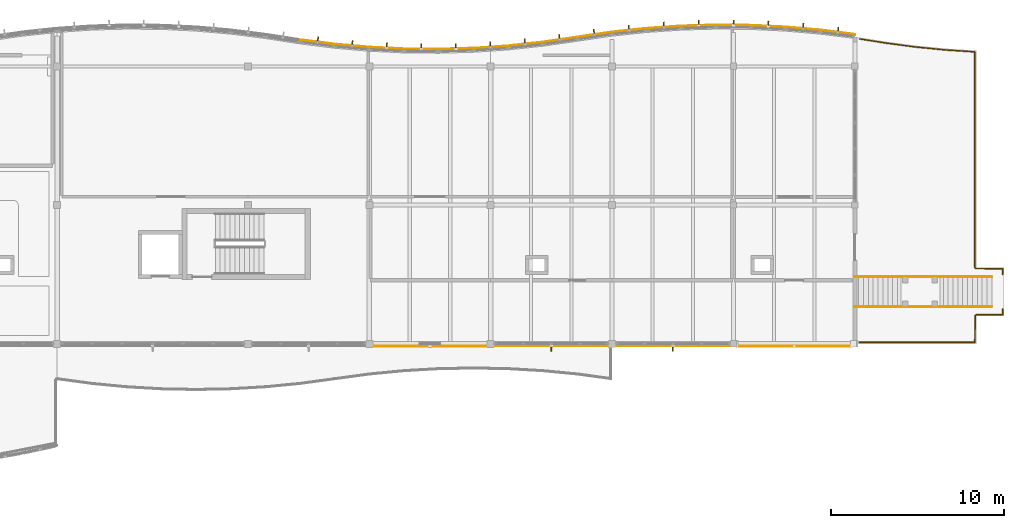
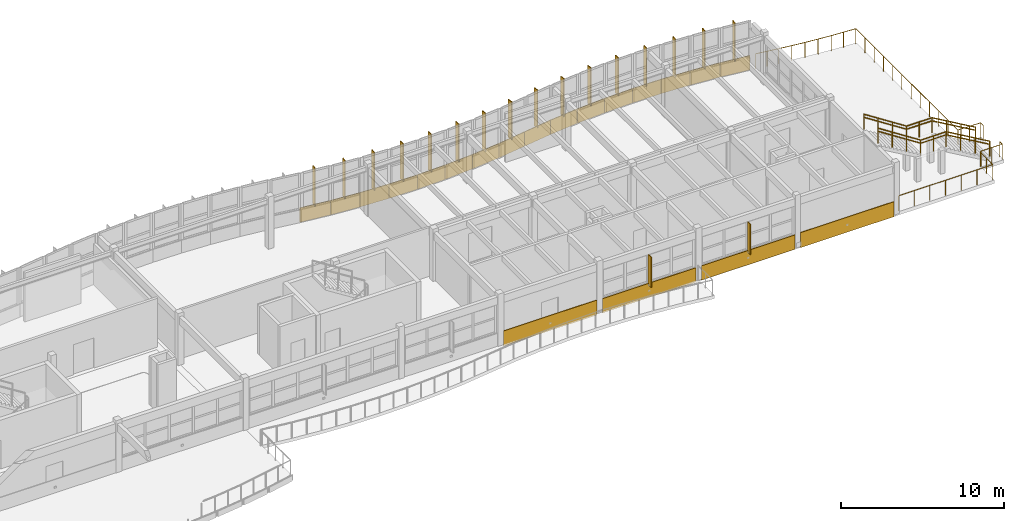
# One storey, part 52 of 52: 20 coverings, 18 shading devices, 6 railings.
"""IFC4 building model written with IfcOpenShell, lengths in metres."""

from ifc_helpers import new_model, si_unit, direction, frame, origin, origin_2d, place, context, subcontext, project, spatial, polyline, rectangle, circle, outline, extrude, material, layer, layer_set, type_object, element, save


model = new_model("IFC4")

# Units and contexts
model_context = context("Model", 3, precision=1e-05, world=origin(), true_north=direction((0.0, 1.0)))
body_context = subcontext(model_context, "Body", "Model", "MODEL_VIEW")
ifc_project = project(units=[si_unit("LENGTHUNIT", "METRE"), si_unit("AREAUNIT", "SQUARE_METRE"), si_unit("VOLUMEUNIT", "CUBIC_METRE"), si_unit("PLANEANGLEUNIT", "RADIAN"), si_unit("MASSUNIT", "GRAM", prefix="KILO")], contexts=[model_context])

# Site, building, storey
site_placement = place(None, origin())
site = spatial("IfcSite", under=ifc_project, at=site_placement, CompositionType="ELEMENT")
building_placement = place(site_placement, origin())
building = spatial("IfcBuilding", under=site, at=building_placement, Name="Tonlespit Floodbar School", CompositionType="ELEMENT")
storey_placement = place(building_placement, frame((0.0, 0.0, 12.300048828125)))
storey = spatial("IfcBuildingStorey", under=building, at=storey_placement, Name="L03", CompositionType="ELEMENT", Elevation=12.300048828125)

# Railings
ifc_material_1 = material(Name="Galvanised Steel", Category="steel")
railing_type_1 = type_object("IfcRailingType", Name="Balustrade_Ext_1150", PredefinedType="BALUSTRADE", material=ifc_material_1)
railing_1_placement = place(storey_placement, frame((162.280029296875, 121.580810546875, 0.0)))
element("IfcRailing", 1, at=railing_1_placement, inside=storey, type_object=railing_type_1, Name="L03 terrace balustrade 021", PredefinedType="BALUSTRADE", context=body_context, shape_type="SweptSolid", body=[
    extrude(circle(Radius=0.02392578125, at=origin_2d()), frame((0.0, 0.0, 1.1259765625), z_axis=(0.987927474523, -0.154917090996, 0.0), x_axis=(0.154917090996, 0.987927474523, 0.0)), (0.0, 0.0, 1.0), 1.47509765625),
    extrude(circle(Radius=0.02392578125, at=origin_2d()), frame((1.457275390625, -0.228515625, 1.1259765625), z_axis=(0.991221866926, -0.132208965386, 0.0), x_axis=(0.132208965386, 0.991221866926, 0.0)), (0.0, 0.0, 1.0), 1.767333984375),
    extrude(circle(Radius=0.02392578125, at=origin_2d()), frame((3.208984375, -0.462158203125, 1.1259765625), z_axis=(0.995131438323, -0.098556686537, 0.0), x_axis=(0.098556686537, 0.995131438323, 0.0)), (0.0, 0.0, 1.0), 1.76123046875),
    extrude(circle(Radius=0.02392578125, at=origin_2d()), frame((4.961669921875, -0.6357421875, 1.1259765625), z_axis=(0.997881745666, -0.065053990404, 0.0), x_axis=(0.065053990404, 0.997881745666, 0.0)), (0.0, 0.0, 1.0), 1.681396484375),
    extrude(circle(Radius=0.02392578125, at=origin_2d()), frame((6.639404296875, -0.7451171875, 1.1259765625), z_axis=(3.93275e-05, -0.999999999227, 0.0), x_axis=(0.999999999227, 3.93275e-05, 0.0)), (0.0, 0.0, 1.0), 12.415771484375),
    extrude(circle(Radius=0.02392578125, at=origin_2d()), frame((6.639892578125, -13.160888671875, 1.1259765625), z_axis=(0.402738614266, -0.915315032423, 0.0), x_axis=(0.915315032423, 0.402738614266, 0.0)), (0.0, 0.0, 1.0), 0.080078125),
    extrude(circle(Radius=0.02392578125, at=origin_2d()), frame((6.672119140625, -13.234130859375, 1.1259765625), z_axis=(0.999855901631, -0.016975746616, 0.0), x_axis=(0.016975746616, 0.999855901631, 0.0)), (0.0, 0.0, 1.0), 1.567626953125),
    extrude(circle(Radius=0.02392578125, at=origin_2d()), frame((8.239501953125, -13.2607421875, 1.1259765625), z_axis=(0.0, -1.0, 0.0), x_axis=(1.0, 0.0, 0.0)), (0.0, 0.0, 1.0), 0.320068359375),
    extrude(circle(Radius=0.02099609375, at=origin_2d()), origin(), (0.0, 0.0, 1.0), 1.101806640625),
    extrude(circle(Radius=0.02099609375, at=origin_2d()), frame((0.728515625, -0.1142578125, 0.0)), (0.0, 0.0, 1.0), 1.101806640625),
    extrude(circle(Radius=0.02099609375, at=origin_2d()), frame((1.457275390625, -0.228515625, 0.0)), (0.0, 0.0, 1.0), 1.101806640625),
    extrude(circle(Radius=0.02099609375, at=origin_2d()), frame((2.3330078125, -0.34521484375, 0.0)), (0.0, 0.0, 1.0), 1.101806640625),
    extrude(circle(Radius=0.02099609375, at=origin_2d()), frame((3.208984375, -0.462158203125, 0.0)), (0.0, 0.0, 1.0), 1.101806640625),
    extrude(circle(Radius=0.02099609375, at=origin_2d()), frame((4.08544921875, -0.548828125, 0.0)), (0.0, 0.0, 1.0), 1.101806640625),
    extrude(circle(Radius=0.02099609375, at=origin_2d()), frame((4.961669921875, -0.6357421875, 0.0)), (0.0, 0.0, 1.0), 1.101806640625),
    extrude(circle(Radius=0.02099609375, at=origin_2d()), frame((5.800537109375, -0.6904296875, 0.0)), (0.0, 0.0, 1.0), 1.101806640625),
    extrude(circle(Radius=0.02099609375, at=origin_2d()), frame((6.639404296875, -0.7451171875, 0.0)), (0.0, 0.0, 1.0), 1.101806640625),
    extrude(circle(Radius=0.02099609375, at=origin_2d()), frame((6.639404296875, -1.873779296875, 0.0)), (0.0, 0.0, 1.0), 1.101806640625),
    extrude(circle(Radius=0.02099609375, at=origin_2d()), frame((6.639404296875, -3.00244140625, 0.0)), (0.0, 0.0, 1.0), 1.101806640625),
    extrude(circle(Radius=0.02099609375, at=origin_2d()), frame((6.6396484375, -4.13134765625, 0.0)), (0.0, 0.0, 1.0), 1.101806640625),
    extrude(circle(Radius=0.02099609375, at=origin_2d()), frame((6.6396484375, -5.260009765625, 0.0)), (0.0, 0.0, 1.0), 1.101806640625),
    extrude(circle(Radius=0.02099609375, at=origin_2d()), frame((6.6396484375, -6.388671875, 0.0)), (0.0, 0.0, 1.0), 1.101806640625),
    extrude(circle(Radius=0.02099609375, at=origin_2d()), frame((6.6396484375, -7.517333984375, 0.0)), (0.0, 0.0, 1.0), 1.101806640625),
    extrude(circle(Radius=0.02099609375, at=origin_2d()), frame((6.6396484375, -8.64599609375, 0.0)), (0.0, 0.0, 1.0), 1.101806640625),
    extrude(circle(Radius=0.02099609375, at=origin_2d()), frame((6.6396484375, -9.774658203125, 0.0)), (0.0, 0.0, 1.0), 1.101806640625),
    extrude(circle(Radius=0.02099609375, at=origin_2d()), frame((6.639892578125, -10.903564453125, 0.0)), (0.0, 0.0, 1.0), 1.101806640625),
    extrude(circle(Radius=0.02099609375, at=origin_2d()), frame((6.639892578125, -12.0322265625, 0.0)), (0.0, 0.0, 1.0), 1.101806640625),
    extrude(circle(Radius=0.02099609375, at=origin_2d()), frame((6.639892578125, -13.160888671875, 0.0)), (0.0, 0.0, 1.0), 1.101806640625),
    extrude(circle(Radius=0.02099609375, at=origin_2d()), frame((6.672119140625, -13.234130859375, 0.0)), (0.0, 0.0, 1.0), 1.101806640625),
    extrude(circle(Radius=0.02099609375, at=origin_2d()), frame((7.455810546875, -13.24755859375, 0.0)), (0.0, 0.0, 1.0), 1.101806640625),
    extrude(circle(Radius=0.02099609375, at=origin_2d()), frame((8.239501953125, -13.2607421875, 0.0)), (0.0, 0.0, 1.0), 1.101806640625),
    extrude(circle(Radius=0.02099609375, at=origin_2d()), frame((8.239501953125, -13.580810546875, 0.0)), (0.0, 0.0, 1.0), 1.101806640625),
])
railing_2_placement = place(storey_placement, frame((169.89990234375, 107.860107421875, 0.162353515625)))
element("IfcRailing", 2, at=railing_2_placement, inside=storey, type_object=railing_type_1, Name="ST-L2 side guard 1", PredefinedType="BALUSTRADE", context=body_context, shape_type="SweptSolid", body=[
    extrude(circle(Radius=0.02392578125, at=origin_2d()), frame((0.0, 0.0, 1.1259765625), z_axis=(-0.864873446163, 0.0, 0.501989962173), x_axis=(0.0, -1.0, 0.0)), (0.0, 0.0, 1.0), 3.56103515625),
    extrude(circle(Radius=0.02392578125, at=origin_2d()), frame((-3.079833984375, 0.0, 2.91357421875), z_axis=(-1.0, 0.0, 0.0), x_axis=(0.0, -1.0, 0.0)), (0.0, 0.0, 1.0), 1.800048828125),
    extrude(circle(Radius=0.02392578125, at=origin_2d()), frame((-4.8798828125, 0.0, 2.91357421875), z_axis=(-0.840099985786, 0.0, 0.542431575301), x_axis=(0.0, -1.0, 0.0)), (0.0, 0.0, 1.0), 3.5947265625),
    extrude(circle(Radius=0.02099609375, at=origin_2d()), origin(), (0.0, 0.0, 1.0), 1.101806640625),
    extrude(circle(Radius=0.02099609375, at=origin_2d()), frame((-1.026611328125, 0.0, 0.595947265625)), (0.0, 0.0, 1.0), 1.101806640625),
    extrude(circle(Radius=0.02099609375, at=origin_2d()), frame((-2.05322265625, 0.0, 1.191650390625)), (0.0, 0.0, 1.0), 1.101806640625),
    extrude(circle(Radius=0.02099609375, at=origin_2d()), frame((-3.079833984375, 0.0, 1.78759765625)), (0.0, 0.0, 1.0), 1.101806640625),
    extrude(circle(Radius=0.02099609375, at=origin_2d()), frame((-3.97998046875, 0.0, 1.78759765625)), (0.0, 0.0, 1.0), 1.101806640625),
    extrude(circle(Radius=0.02099609375, at=origin_2d()), frame((-4.8798828125, 0.0, 1.78759765625)), (0.0, 0.0, 1.0), 1.101806640625),
    extrude(circle(Radius=0.02099609375, at=origin_2d()), frame((-5.886474609375, 0.0, 2.4375)), (0.0, 0.0, 1.0), 1.101806640625),
    extrude(circle(Radius=0.02099609375, at=origin_2d()), frame((-6.893310546875, 0.0, 3.087646484375)), (0.0, 0.0, 1.0), 1.101806640625),
    extrude(circle(Radius=0.02099609375, at=origin_2d()), frame((-7.89990234375, 0.0, 3.737548828125)), (0.0, 0.0, 1.0), 1.101806640625),
])
railing_3_placement = place(storey_placement, frame((169.89990234375, 106.139892578125, 0.162353515625)))
element("IfcRailing", 3, at=railing_3_placement, inside=storey, type_object=railing_type_1, Name="ST-L2 side guard 2", PredefinedType="BALUSTRADE", context=body_context, shape_type="SweptSolid", body=[
    extrude(circle(Radius=0.02392578125, at=origin_2d()), frame((0.0, 0.0, 1.1259765625), z_axis=(-0.864873446163, 0.0, 0.501989962173), x_axis=(0.0, -1.0, 0.0)), (0.0, 0.0, 1.0), 3.56103515625),
    extrude(circle(Radius=0.02392578125, at=origin_2d()), frame((-3.079833984375, 0.0, 2.91357421875), z_axis=(-1.0, 0.0, 0.0), x_axis=(0.0, -1.0, 0.0)), (0.0, 0.0, 1.0), 1.800048828125),
    extrude(circle(Radius=0.02392578125, at=origin_2d()), frame((-4.8798828125, 0.0, 2.91357421875), z_axis=(-0.840099985786, 0.0, 0.542431575301), x_axis=(0.0, -1.0, 0.0)), (0.0, 0.0, 1.0), 3.5947265625),
    extrude(circle(Radius=0.02099609375, at=origin_2d()), origin(), (0.0, 0.0, 1.0), 1.101806640625),
    extrude(circle(Radius=0.02099609375, at=origin_2d()), frame((-1.026611328125, 0.0, 0.595947265625)), (0.0, 0.0, 1.0), 1.101806640625),
    extrude(circle(Radius=0.02099609375, at=origin_2d()), frame((-2.05322265625, 0.0, 1.191650390625)), (0.0, 0.0, 1.0), 1.101806640625),
    extrude(circle(Radius=0.02099609375, at=origin_2d()), frame((-3.079833984375, 0.0, 1.78759765625)), (0.0, 0.0, 1.0), 1.101806640625),
    extrude(circle(Radius=0.02099609375, at=origin_2d()), frame((-3.97998046875, 0.0, 1.78759765625)), (0.0, 0.0, 1.0), 1.101806640625),
    extrude(circle(Radius=0.02099609375, at=origin_2d()), frame((-4.8798828125, 0.0, 1.78759765625)), (0.0, 0.0, 1.0), 1.101806640625),
    extrude(circle(Radius=0.02099609375, at=origin_2d()), frame((-5.886474609375, 0.0, 2.4375)), (0.0, 0.0, 1.0), 1.101806640625),
    extrude(circle(Radius=0.02099609375, at=origin_2d()), frame((-6.893310546875, 0.0, 3.087646484375)), (0.0, 0.0, 1.0), 1.101806640625),
    extrude(circle(Radius=0.02099609375, at=origin_2d()), frame((-7.89990234375, 0.0, 3.737548828125)), (0.0, 0.0, 1.0), 1.101806640625),
])

# Coverings
ifc_material_2 = material(Name="White Architectural Aluminium", Category="aluminium")
ifc_layer_1 = layer(ifc_material_2, 0.050048828125)
ifc_layer_set_1 = layer_set([ifc_layer_1], Name="White Architectural Aluminium")
covering_type = type_object("IfcCoveringType", Name="Cladding_WhiteBand_50", PredefinedType="CLADDING", material=ifc_layer_set_1)
covering_1_placement = place(storey_placement, frame((0.0, 0.0, -0.1201171875)))
element("IfcCovering", 4, at=covering_1_placement, inside=storey, type_object=covering_type, Name="L03 curved white spandrel cladding 0704", PredefinedType="CLADDING", context=body_context, shape_type="SweptSolid", body=[
    extrude(outline(polyline([(130.012451171875, 121.493408203125), (132.012451171875, 121.241455078125), (132.018798828125, 121.291015625), (130.018798828125, 121.543212890625), (130.012451171875, 121.493408203125)])), origin(), (0.0, 0.0, 1.0), 1.070068359375),
])
covering_2_placement = place(storey_placement, frame((0.0, 0.0, -0.1201171875)))
element("IfcCovering", 5, at=covering_2_placement, inside=storey, type_object=covering_type, Name="L03 curved white spandrel cladding 0705", PredefinedType="CLADDING", context=body_context, shape_type="SweptSolid", body=[
    extrude(outline(polyline([(132.0087890625, 121.241943359375), (134.0087890625, 121.068115234375), (134.012939453125, 121.117919921875), (132.012939453125, 121.291748046875), (132.0087890625, 121.241943359375)])), origin(), (0.0, 0.0, 1.0), 1.070068359375),
])
covering_3_placement = place(storey_placement, frame((0.0, 0.0, -0.1201171875)))
element("IfcCovering", 6, at=covering_3_placement, inside=storey, type_object=covering_type, Name="L03 curved white spandrel cladding 0706", PredefinedType="CLADDING", context=body_context, shape_type="SweptSolid", body=[
    extrude(outline(polyline([(134.0048828125, 121.068359375), (136.0048828125, 120.97216796875), (136.007080078125, 121.02197265625), (134.007080078125, 121.118408203125), (134.0048828125, 121.068359375)])), origin(), (0.0, 0.0, 1.0), 1.070068359375),
])
covering_4_placement = place(storey_placement, frame((0.0, 0.0, -0.1201171875)))
element("IfcCovering", 7, at=covering_4_placement, inside=storey, type_object=covering_type, Name="L03 curved white spandrel cladding 0707", PredefinedType="CLADDING", context=body_context, shape_type="SweptSolid", body=[
    extrude(outline(polyline([(136.0009765625, 120.97216796875), (138.0009765625, 120.952880859375), (138.00146484375, 121.0029296875), (136.00146484375, 121.022216796875), (136.0009765625, 120.97216796875)])), origin(), (0.0, 0.0, 1.0), 1.070068359375),
])
covering_5_placement = place(storey_placement, frame((0.0, 0.0, -0.1201171875)))
element("IfcCovering", 8, at=covering_5_placement, inside=storey, type_object=covering_type, Name="L03 curved white spandrel cladding 0708", PredefinedType="CLADDING", context=body_context, shape_type="SweptSolid", body=[
    extrude(outline(polyline([(137.9970703125, 120.952880859375), (139.9970703125, 121.0107421875), (139.99560546875, 121.060791015625), (137.99560546875, 121.0029296875), (137.9970703125, 120.952880859375)])), origin(), (0.0, 0.0, 1.0), 1.070068359375),
])
covering_6_placement = place(storey_placement, frame((0.0, 0.0, -0.1201171875)))
element("IfcCovering", 9, at=covering_6_placement, inside=storey, type_object=covering_type, Name="L03 curved white spandrel cladding 0709", PredefinedType="CLADDING", context=body_context, shape_type="SweptSolid", body=[
    extrude(outline(polyline([(139.993408203125, 121.010498046875), (141.993408203125, 121.1455078125), (141.989990234375, 121.1953125), (139.989990234375, 121.060302734375), (139.993408203125, 121.010498046875)])), origin(), (0.0, 0.0, 1.0), 1.070068359375),
])
covering_7_placement = place(storey_placement, frame((0.0, 0.0, -0.1201171875)))
element("IfcCovering", 10, at=covering_7_placement, inside=storey, type_object=covering_type, Name="L03 curved white spandrel cladding 0710", PredefinedType="CLADDING", context=body_context, shape_type="SweptSolid", body=[
    extrude(outline(polyline([(141.989501953125, 121.14501953125), (143.989501953125, 121.35791015625), (143.984130859375, 121.407470703125), (141.984130859375, 121.19482421875), (141.989501953125, 121.14501953125)])), origin(), (0.0, 0.0, 1.0), 1.070068359375),
])
covering_8_placement = place(storey_placement, frame((0.0, 0.0, -0.1201171875)))
element("IfcCovering", 11, at=covering_8_placement, inside=storey, type_object=covering_type, Name="L03 curved white spandrel cladding 0711", PredefinedType="CLADDING", context=body_context, shape_type="SweptSolid", body=[
    extrude(outline(polyline([(143.985595703125, 121.357421875), (145.985595703125, 121.64892578125), (145.978515625, 121.698486328125), (143.978515625, 121.406982421875), (143.985595703125, 121.357421875)])), origin(), (0.0, 0.0, 1.0), 1.070068359375),
])
covering_9_placement = place(storey_placement, frame((0.0, 0.0, -0.1201171875)))
element("IfcCovering", 12, at=covering_9_placement, inside=storey, type_object=covering_type, Name="L03 curved white spandrel cladding 0712", PredefinedType="CLADDING", context=body_context, shape_type="SweptSolid", body=[
    extrude(outline(polyline([(145.985595703125, 121.64892578125), (147.985595703125, 121.940673828125), (147.978515625, 121.989990234375), (145.978515625, 121.698486328125), (145.985595703125, 121.64892578125)])), origin(), (0.0, 0.0, 1.0), 1.070068359375),
])
covering_10_placement = place(storey_placement, frame((0.0, 0.0, -0.1201171875)))
element("IfcCovering", 13, at=covering_10_placement, inside=storey, type_object=covering_type, Name="L03 curved white spandrel cladding 0713", PredefinedType="CLADDING", context=body_context, shape_type="SweptSolid", body=[
    extrude(outline(polyline([(147.989501953125, 121.94091796875), (149.989501953125, 122.15380859375), (149.984130859375, 122.203369140625), (147.984130859375, 121.99072265625), (147.989501953125, 121.94091796875)])), origin(), (0.0, 0.0, 1.0), 1.070068359375),
])
covering_11_placement = place(storey_placement, frame((0.0, 0.0, -0.1201171875)))
element("IfcCovering", 14, at=covering_11_placement, inside=storey, type_object=covering_type, Name="L03 curved white spandrel cladding 0714", PredefinedType="CLADDING", context=body_context, shape_type="SweptSolid", body=[
    extrude(outline(polyline([(149.993408203125, 122.154052734375), (151.993408203125, 122.2890625), (151.989990234375, 122.339111328125), (149.989990234375, 122.2041015625), (149.993408203125, 122.154052734375)])), origin(), (0.0, 0.0, 1.0), 1.070068359375),
])
covering_12_placement = place(storey_placement, frame((0.0, 0.0, -0.1201171875)))
element("IfcCovering", 15, at=covering_12_placement, inside=storey, type_object=covering_type, Name="L03 curved white spandrel cladding 0715", PredefinedType="CLADDING", context=body_context, shape_type="SweptSolid", body=[
    extrude(outline(polyline([(151.9970703125, 122.289306640625), (153.9970703125, 122.346923828125), (153.99560546875, 122.39697265625), (151.99560546875, 122.33935546875), (151.9970703125, 122.289306640625)])), origin(), (0.0, 0.0, 1.0), 1.070068359375),
])
covering_13_placement = place(storey_placement, frame((0.0, 0.0, -0.1201171875)))
element("IfcCovering", 16, at=covering_13_placement, inside=storey, type_object=covering_type, Name="L03 curved white spandrel cladding 0716", PredefinedType="CLADDING", context=body_context, shape_type="SweptSolid", body=[
    extrude(outline(polyline([(154.0009765625, 122.346923828125), (156.0009765625, 122.327880859375), (156.00146484375, 122.377685546875), (154.00146484375, 122.39697265625), (154.0009765625, 122.346923828125)])), origin(), (0.0, 0.0, 1.0), 1.070068359375),
])
covering_14_placement = place(storey_placement, frame((0.0, 0.0, -0.1201171875)))
element("IfcCovering", 17, at=covering_14_placement, inside=storey, type_object=covering_type, Name="L03 curved white spandrel cladding 0717", PredefinedType="CLADDING", context=body_context, shape_type="SweptSolid", body=[
    extrude(outline(polyline([(156.0048828125, 122.32763671875), (158.0048828125, 122.2314453125), (158.007080078125, 122.28125), (156.007080078125, 122.377685546875), (156.0048828125, 122.32763671875)])), origin(), (0.0, 0.0, 1.0), 1.070068359375),
])
covering_15_placement = place(storey_placement, frame((0.0, 0.0, -0.1201171875)))
element("IfcCovering", 18, at=covering_15_placement, inside=storey, type_object=covering_type, Name="L03 curved white spandrel cladding 0718", PredefinedType="CLADDING", context=body_context, shape_type="SweptSolid", body=[
    extrude(outline(polyline([(158.0087890625, 122.231201171875), (160.0087890625, 122.057373046875), (160.012939453125, 122.107177734375), (158.012939453125, 122.281005859375), (158.0087890625, 122.231201171875)])), origin(), (0.0, 0.0, 1.0), 1.070068359375),
])
covering_16_placement = place(storey_placement, frame((0.0, 0.0, -0.1201171875)))
element("IfcCovering", 19, at=covering_16_placement, inside=storey, type_object=covering_type, Name="L03 curved white spandrel cladding 0719", PredefinedType="CLADDING", context=body_context, shape_type="SweptSolid", body=[
    extrude(outline(polyline([(160.012451171875, 122.056884765625), (162.012451171875, 121.804931640625), (162.018798828125, 121.8544921875), (160.018798828125, 122.1064453125), (160.012451171875, 122.056884765625)])), origin(), (0.0, 0.0, 1.0), 1.070068359375),
])
covering_17_placement = place(storey_placement, frame((0.0, 0.0, -0.1201171875)))
element("IfcCovering", 20, at=covering_17_placement, inside=storey, type_object=covering_type, Name="L03 curved white spandrel cladding 0720", PredefinedType="CLADDING", context=body_context, shape_type="SweptSolid", body=[
    extrude(outline(polyline([(161.820068359375, 103.8798828125), (155.179931640625, 103.8798828125), (155.179931640625, 103.830078125), (161.820068359375, 103.830078125), (161.820068359375, 103.8798828125)])), origin(), (0.0, 0.0, 1.0), 1.1201171875),
])
covering_18_placement = place(storey_placement, frame((0.0, 0.0, -0.1201171875)))
element("IfcCovering", 21, at=covering_18_placement, inside=storey, type_object=covering_type, Name="L03 curved white spandrel cladding 0721", PredefinedType="CLADDING", context=body_context, shape_type="SweptSolid", body=[
    extrude(outline(polyline([(154.820068359375, 103.89990234375), (148.199951171875, 103.89990234375), (148.199951171875, 103.85009765625), (154.820068359375, 103.85009765625), (154.820068359375, 103.89990234375)])), origin(), (0.0, 0.0, 1.0), 1.070068359375),
])
covering_19_placement = place(storey_placement, frame((0.0, 0.0, -0.1201171875)))
element("IfcCovering", 22, at=covering_19_placement, inside=storey, type_object=covering_type, Name="L03 curved white spandrel cladding 0722", PredefinedType="CLADDING", context=body_context, shape_type="SweptSolid", body=[
    extrude(outline(polyline([(147.800048828125, 103.89990234375), (141.199951171875, 103.89990234375), (141.199951171875, 103.85009765625), (147.800048828125, 103.85009765625), (147.800048828125, 103.89990234375)])), origin(), (0.0, 0.0, 1.0), 1.070068359375),
])
covering_20_placement = place(storey_placement, frame((0.0, 0.0, -0.1201171875)))
element("IfcCovering", 23, at=covering_20_placement, inside=storey, type_object=covering_type, Name="L03 curved white spandrel cladding 0723", PredefinedType="CLADDING", context=body_context, shape_type="SweptSolid", body=[
    extrude(outline(polyline([(140.800048828125, 103.8798828125), (134.199951171875, 103.8798828125), (134.199951171875, 103.830078125), (140.800048828125, 103.830078125), (140.800048828125, 103.8798828125)])), origin(), (0.0, 0.0, 1.0), 1.1201171875),
])

# Railings
ifc_material_3 = material(Name="Anodised Aluminium", Category="aluminium")
railing_type_2 = type_object("IfcRailingType", Name="Guardrail_Terrace_1150", PredefinedType="GUARDRAIL", material=ifc_material_3)
railing_4_placement = place(storey_placement, frame((170.52001953125, 106.0, 0.0)))
element("IfcRailing", 24, at=railing_4_placement, inside=storey, type_object=railing_type_2, Name="L03 terrace balustrade 022", PredefinedType="GUARDRAIL", context=body_context, shape_type="SweptSolid", body=[
    extrude(circle(Radius=0.02392578125, at=origin_2d()), frame((0.0, 0.0, 1.1259765625), z_axis=(0.0, -1.0, 0.0), x_axis=(1.0, 0.0, 0.0)), (0.0, 0.0, 1.0), 0.319580078125),
    extrude(circle(Radius=0.02392578125, at=origin_2d()), frame((0.0, -0.319580078125, 1.1259765625), z_axis=(-0.999999947018, -0.000325520816, 0.0), x_axis=(0.000325520816, -0.999999947018, 0.0)), (0.0, 0.0, 1.0), 1.5),
    extrude(circle(Radius=0.02392578125, at=origin_2d()), frame((-1.5, -0.320068359375, 1.1259765625), z_axis=(-0.916924704679, -0.399060253532, 0.0), x_axis=(0.399060253532, -0.916924704679, 0.0)), (0.0, 0.0, 1.0), 0.080078125),
    extrude(circle(Radius=0.02392578125, at=origin_2d()), frame((-1.573486328125, -0.35205078125, 1.1259765625), z_axis=(-0.016975746616, -0.999855901631, 0.0), x_axis=(0.999855901631, -0.016975746616, 0.0)), (0.0, 0.0, 1.0), 1.567626953125),
    extrude(circle(Radius=0.02392578125, at=origin_2d()), frame((-1.60009765625, -1.91943359375, 1.1259765625), z_axis=(-0.999999999328, -3.66663e-05, 0.0), x_axis=(3.66663e-05, -0.999999999328, 0.0)), (0.0, 0.0, 1.0), 6.658447265625),
    extrude(circle(Radius=0.02099609375, at=origin_2d()), origin(), (0.0, 0.0, 1.0), 1.101806640625),
    extrude(circle(Radius=0.02099609375, at=origin_2d()), frame((0.0, -0.319580078125, 0.0)), (0.0, 0.0, 1.0), 1.101806640625),
    extrude(circle(Radius=0.02099609375, at=origin_2d()), frame((-0.75, -0.31982421875, 0.0)), (0.0, 0.0, 1.0), 1.101806640625),
    extrude(circle(Radius=0.02099609375, at=origin_2d()), frame((-1.5, -0.320068359375, 0.0)), (0.0, 0.0, 1.0), 1.101806640625),
    extrude(circle(Radius=0.02099609375, at=origin_2d()), frame((-1.573486328125, -0.35205078125, 0.0)), (0.0, 0.0, 1.0), 1.101806640625),
    extrude(circle(Radius=0.02099609375, at=origin_2d()), frame((-1.5869140625, -1.1357421875, 0.0)), (0.0, 0.0, 1.0), 1.101806640625),
    extrude(circle(Radius=0.02099609375, at=origin_2d()), frame((-1.60009765625, -1.91943359375, 0.0)), (0.0, 0.0, 1.0), 1.101806640625),
    extrude(circle(Radius=0.02099609375, at=origin_2d()), frame((-2.7099609375, -1.91943359375, 0.0)), (0.0, 0.0, 1.0), 1.101806640625),
    extrude(circle(Radius=0.02099609375, at=origin_2d()), frame((-3.819580078125, -1.91943359375, 0.0)), (0.0, 0.0, 1.0), 1.101806640625),
    extrude(circle(Radius=0.02099609375, at=origin_2d()), frame((-4.92919921875, -1.91943359375, 0.0)), (0.0, 0.0, 1.0), 1.101806640625),
    extrude(circle(Radius=0.02099609375, at=origin_2d()), frame((-6.0390625, -1.919677734375, 0.0)), (0.0, 0.0, 1.0), 1.101806640625),
    extrude(circle(Radius=0.02099609375, at=origin_2d()), frame((-7.14892578125, -1.919677734375, 0.0)), (0.0, 0.0, 1.0), 1.101806640625),
    extrude(circle(Radius=0.02099609375, at=origin_2d()), frame((-8.258544921875, -1.919677734375, 0.0)), (0.0, 0.0, 1.0), 1.101806640625),
])
railing_type_3 = type_object("IfcRailingType", Name="Handrail_Ext_920", PredefinedType="HANDRAIL", material=ifc_material_1)
railing_5_placement = place(storey_placement, frame((169.89990234375, 107.860107421875, 0.162353515625)))
element("IfcRailing", 25, at=railing_5_placement, inside=storey, type_object=railing_type_3, Name="ST-L2 handrail 1", PredefinedType="HANDRAIL", context=body_context, shape_type="SweptSolid", body=[
    extrude(circle(Radius=0.02392578125, at=origin_2d()), frame((0.0, 0.0, 0.89599609375), z_axis=(-0.864873446163, 0.0, 0.501989962173), x_axis=(0.0, -1.0, 0.0)), (0.0, 0.0, 1.0), 3.56103515625),
    extrude(circle(Radius=0.02392578125, at=origin_2d()), frame((-3.079833984375, 0.0, 2.68359375), z_axis=(-1.0, 0.0, 0.0), x_axis=(0.0, -1.0, 0.0)), (0.0, 0.0, 1.0), 1.800048828125),
    extrude(circle(Radius=0.02392578125, at=origin_2d()), frame((-4.8798828125, 0.0, 2.68359375), z_axis=(-0.840099985786, 0.0, 0.542431575301), x_axis=(0.0, -1.0, 0.0)), (0.0, 0.0, 1.0), 3.5947265625),
    extrude(circle(Radius=0.02099609375, at=origin_2d()), origin(), (0.0, 0.0, 1.0), 0.871826171875),
    extrude(circle(Radius=0.02099609375, at=origin_2d()), frame((-1.026611328125, 0.0, 0.595947265625)), (0.0, 0.0, 1.0), 0.871826171875),
    extrude(circle(Radius=0.02099609375, at=origin_2d()), frame((-2.05322265625, 0.0, 1.191650390625)), (0.0, 0.0, 1.0), 0.871826171875),
    extrude(circle(Radius=0.02099609375, at=origin_2d()), frame((-3.079833984375, 0.0, 1.78759765625)), (0.0, 0.0, 1.0), 0.871826171875),
    extrude(circle(Radius=0.02099609375, at=origin_2d()), frame((-3.97998046875, 0.0, 1.78759765625)), (0.0, 0.0, 1.0), 0.871826171875),
    extrude(circle(Radius=0.02099609375, at=origin_2d()), frame((-4.8798828125, 0.0, 1.78759765625)), (0.0, 0.0, 1.0), 0.871826171875),
    extrude(circle(Radius=0.02099609375, at=origin_2d()), frame((-5.886474609375, 0.0, 2.4375)), (0.0, 0.0, 1.0), 0.871826171875),
    extrude(circle(Radius=0.02099609375, at=origin_2d()), frame((-6.893310546875, 0.0, 3.087646484375)), (0.0, 0.0, 1.0), 0.871826171875),
    extrude(circle(Radius=0.02099609375, at=origin_2d()), frame((-7.89990234375, 0.0, 3.737548828125)), (0.0, 0.0, 1.0), 0.871826171875),
])
railing_6_placement = place(storey_placement, frame((169.89990234375, 106.139892578125, 0.162353515625)))
element("IfcRailing", 26, at=railing_6_placement, inside=storey, type_object=railing_type_3, Name="ST-L2 handrail 2", PredefinedType="HANDRAIL", context=body_context, shape_type="SweptSolid", body=[
    extrude(circle(Radius=0.02392578125, at=origin_2d()), frame((0.0, 0.0, 0.89599609375), z_axis=(-0.864873446163, 0.0, 0.501989962173), x_axis=(0.0, -1.0, 0.0)), (0.0, 0.0, 1.0), 3.56103515625),
    extrude(circle(Radius=0.02392578125, at=origin_2d()), frame((-3.079833984375, 0.0, 2.68359375), z_axis=(-1.0, 0.0, 0.0), x_axis=(0.0, -1.0, 0.0)), (0.0, 0.0, 1.0), 1.800048828125),
    extrude(circle(Radius=0.02392578125, at=origin_2d()), frame((-4.8798828125, 0.0, 2.68359375), z_axis=(-0.840099985786, 0.0, 0.542431575301), x_axis=(0.0, -1.0, 0.0)), (0.0, 0.0, 1.0), 3.5947265625),
    extrude(circle(Radius=0.02099609375, at=origin_2d()), origin(), (0.0, 0.0, 1.0), 0.871826171875),
    extrude(circle(Radius=0.02099609375, at=origin_2d()), frame((-1.026611328125, 0.0, 0.595947265625)), (0.0, 0.0, 1.0), 0.871826171875),
    extrude(circle(Radius=0.02099609375, at=origin_2d()), frame((-2.05322265625, 0.0, 1.191650390625)), (0.0, 0.0, 1.0), 0.871826171875),
    extrude(circle(Radius=0.02099609375, at=origin_2d()), frame((-3.079833984375, 0.0, 1.78759765625)), (0.0, 0.0, 1.0), 0.871826171875),
    extrude(circle(Radius=0.02099609375, at=origin_2d()), frame((-3.97998046875, 0.0, 1.78759765625)), (0.0, 0.0, 1.0), 0.871826171875),
    extrude(circle(Radius=0.02099609375, at=origin_2d()), frame((-4.8798828125, 0.0, 1.78759765625)), (0.0, 0.0, 1.0), 0.871826171875),
    extrude(circle(Radius=0.02099609375, at=origin_2d()), frame((-5.886474609375, 0.0, 2.4375)), (0.0, 0.0, 1.0), 0.871826171875),
    extrude(circle(Radius=0.02099609375, at=origin_2d()), frame((-6.893310546875, 0.0, 3.087646484375)), (0.0, 0.0, 1.0), 0.871826171875),
    extrude(circle(Radius=0.02099609375, at=origin_2d()), frame((-7.89990234375, 0.0, 3.737548828125)), (0.0, 0.0, 1.0), 0.871826171875),
])

# Shading devices
ifc_material_4 = material(Name="Terracotta Anodised Aluminium", Category="masonry")
ifc_layer_2 = layer(ifc_material_4, 0.06005859375)
ifc_layer_set_2 = layer_set([ifc_layer_2], Name="Terracotta Anodised Aluminium")
shading_device_type = type_object("IfcShadingDeviceType", Name="Shading_SolarFin_350", PredefinedType="USERDEFINED", material=ifc_layer_set_2)
for number, where, z_axis, x_axis, name in (
    (27, (131.032470703125, 121.5263671875, 0.7998046875), (0.0, 0.0, 1.0), (0.99215533612, -0.125011155539, 0.0), "L03 vertical solar fin 305"),
    (28, (133.0224609375, 121.314453125, 0.7998046875), (0.0, 0.0, 1.0), (0.996245486492, -0.086573267488, 0.0), "L03 vertical solar fin 306"),
    (29, (135.012451171875, 121.179931640625, 0.7998046875), (0.0, 0.0, 1.0), (0.998842769234, -0.048094930587, 0.0), "L03 vertical solar fin 307"),
    (30, (137.00244140625, 121.12255859375, 0.7998046875), (0.0, 0.0, 1.0), (0.999953926969, -0.009599163462, 0.0), "L03 vertical solar fin 308"),
    (31, (138.992431640625, 121.1416015625, 0.7998046875), (0.0, 0.0, 1.0), (0.999584110869, 0.02883756748, 0.0), "L03 vertical solar fin 309"),
    (32, (140.982421875, 121.237548828125, 0.7998046875), (0.0, 0.0, 1.0), (0.997729639049, 0.067346621018, 0.0), "L03 vertical solar fin 310"),
    (33, (142.972412109375, 121.41064453125, 0.7998046875), (0.0, 0.0, 1.0), (0.99439234017, 0.105753835922, 0.0), "L03 vertical solar fin 311"),
    (34, (144.96240234375, 121.66162109375, 0.7998046875), (0.0, 0.0, 1.0), (0.989537627347, 0.144275029245, 0.0), "L03 vertical solar fin 312"),
    (35, (146.96240234375, 121.953125, 0.7998046875), (0.0, 0.0, 1.0), (0.989537627347, 0.144275029245, 0.0), "L03 vertical solar fin 313"),
    (36, (148.972412109375, 122.20654296875, 0.7998046875), (0.0, 0.0, 1.0), (0.99439234017, 0.105753835922, 0.0), "L03 vertical solar fin 314"),
    (37, (150.982421875, 122.381103515625, 0.7998046875), (0.0, 0.0, 1.0), (0.997729639049, 0.067346621018, 0.0), "L03 vertical solar fin 315"),
    (38, (152.992431640625, 122.47802734375, 0.7998046875), (0.0, 0.0, 1.0), (0.999584110869, 0.02883756748, 0.0), "L03 vertical solar fin 316"),
    (39, (155.00244140625, 122.497314453125, 0.7998046875), (0.0, 0.0, 1.0), (0.999953926969, -0.009599163462, 0.0), "L03 vertical solar fin 317"),
    (40, (157.012451171875, 122.439208984375, 0.7998046875), (0.0, 0.0, 1.0), (0.998842769234, -0.048094930587, 0.0), "L03 vertical solar fin 318"),
    (41, (159.0224609375, 122.3037109375, 0.7998046875), (0.0, 0.0, 1.0), (0.996245486492, -0.086573267488, 0.0), "L03 vertical solar fin 319"),
    (42, (161.032470703125, 122.089599609375, 0.7998046875), (0.0, 0.0, 1.0), (0.99215533612, -0.125011155539, 0.0), "L03 vertical solar fin 320"),
):
    element("IfcShadingDevice", number, at=place(storey_placement, frame(where, z_axis=z_axis, x_axis=x_axis)), inside=storey, type_object=shading_device_type, Name=name, ObjectType="SOLAR FIN", PredefinedType="USERDEFINED", context=body_context, shape_type="SweptSolid", body=[
        extrude(rectangle(XDim=0.06005859375, YDim=0.35009765625, at=origin_2d()), origin(), (0.0, 0.0, 1.0), 2.85009765625),
    ])
shading_device_1_placement = place(storey_placement, frame((151.510009765625, 103.739990234375, 0.7998046875), z_axis=(0.0, 0.0, 1.0), x_axis=(-1.0, 0.0, 0.0)))
element("IfcShadingDevice", 43, at=shading_device_1_placement, inside=storey, type_object=shading_device_type, Name="L03 vertical solar fin 321", ObjectType="SOLAR FIN", PredefinedType="USERDEFINED", context=body_context, shape_type="SweptSolid", body=[
    extrude(rectangle(XDim=0.06005859375, YDim=0.35009765625, at=origin_2d()), origin(), (0.0, 0.0, 1.0), 2.2880859375),
])
shading_device_2_placement = place(storey_placement, frame((144.5, 103.739990234375, 0.7998046875), z_axis=(0.0, 0.0, 1.0), x_axis=(-1.0, 0.0, 0.0)))
element("IfcShadingDevice", 44, at=shading_device_2_placement, inside=storey, type_object=shading_device_type, Name="L03 vertical solar fin 322", ObjectType="SOLAR FIN", PredefinedType="USERDEFINED", context=body_context, shape_type="SweptSolid", body=[
    extrude(rectangle(XDim=0.06005859375, YDim=0.35009765625, at=origin_2d()), origin(), (0.0, 0.0, 1.0), 2.284912109375),
])

save(model, "model.ifc")
